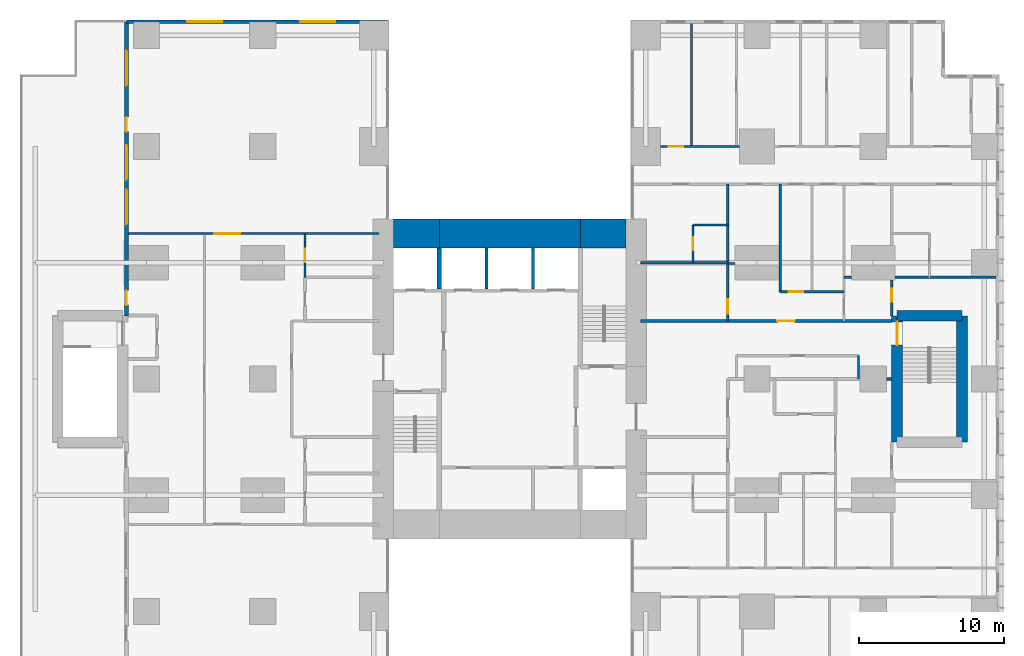
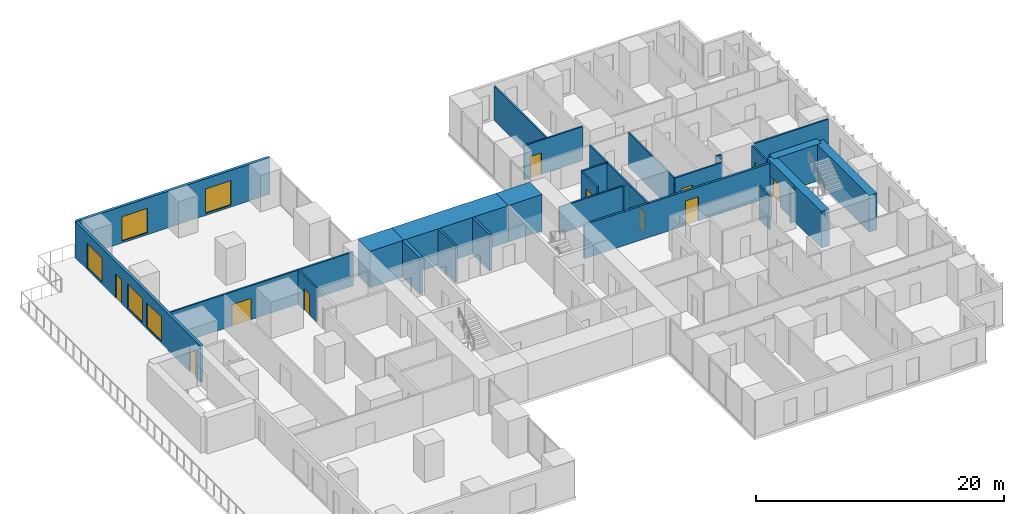
# One storey, part 13 of 16: 28 walls, 11 doors, 5 windows, 16 openings.
"""IFC4 building model written with IfcOpenShell, lengths in metres."""

from ifc_helpers import new_model, si_unit, direction, frame, frame_2d, origin, place, context, subcontext, project, spatial, rectangle, extrude, material, layer, layer_set, type_object, element, fill, save


model = new_model("IFC4")

# Units and contexts
model_context = context("Model", 3, precision=1e-05, world=origin(), true_north=direction((0.0, 1.0)))
body_context = subcontext(model_context, "Body", "Model", "MODEL_VIEW")
ifc_project = project(units=[si_unit("LENGTHUNIT", "METRE"), si_unit("AREAUNIT", "SQUARE_METRE"), si_unit("VOLUMEUNIT", "CUBIC_METRE"), si_unit("PLANEANGLEUNIT", "RADIAN"), si_unit("MASSUNIT", "GRAM", prefix="KILO")], contexts=[model_context])

# Site, building, storey
site_placement = place(None, origin())
site = spatial("IfcSite", under=ifc_project, at=site_placement, CompositionType="ELEMENT")
building_placement = place(site_placement, origin())
building = spatial("IfcBuilding", under=site, at=building_placement, Name="Cleftline Residences", CompositionType="ELEMENT")
storey_placement = place(building_placement, frame((0.0, 0.0, 218.199951171875)))
storey = spatial("IfcBuildingStorey", under=building, at=storey_placement, Name="L57", CompositionType="ELEMENT", Elevation=218.199951171875)

# Walls
ifc_material_1 = material(Name="Concrete B70", Category="concrete")
ifc_layer_1 = layer(ifc_material_1, 2.0)
ifc_layer_set_1 = layer_set([ifc_layer_1], Name="CORE WALL 2000")
wall_type_1 = type_object("IfcWallType", Name="CORE WALL 2000", PredefinedType="SHEAR", material=ifc_layer_set_1)
wall_1_placement = place(storey_placement, frame((25.0, 34.0, 0.0), z_axis=(0.0, 0.0, 1.0), x_axis=(1.0, 0.0, 0.0)))
element("IfcWall", 1, at=wall_1_placement, inside=storey, type_object=wall_type_1, Name="Core wall N1", PredefinedType="SHEAR", context=body_context, shape_type="SweptSolid", body=[
    extrude(rectangle(XDim=3.14990234375, YDim=2.0, at=frame_2d((1.574951171875, 0.0))), origin(), (0.0, 0.0, 1.0), 3.60009765625),
])
wall_2_placement = place(storey_placement, frame((28.14990234375, 34.0, 0.0), z_axis=(0.0, 0.0, 1.0), x_axis=(1.0, 0.0, 0.0)))
element("IfcWall", 2, at=wall_2_placement, inside=storey, type_object=wall_type_1, Name="Core wall N2", PredefinedType="SHEAR", context=body_context, shape_type="SweptSolid", body=[
    extrude(rectangle(XDim=9.7001953125, YDim=2.0, at=frame_2d((4.85009765625, 0.0))), origin(), (0.0, 0.0, 1.0), 3.60009765625),
])
wall_3_placement = place(storey_placement, frame((37.85009765625, 34.0, 0.0), z_axis=(0.0, 0.0, 1.0), x_axis=(1.0, 0.0, 0.0)))
element("IfcWall", 3, at=wall_3_placement, inside=storey, type_object=wall_type_1, Name="Core wall N3", PredefinedType="SHEAR", context=body_context, shape_type="SweptSolid", body=[
    extrude(rectangle(XDim=3.14990234375, YDim=2.0, at=frame_2d((1.574951171875, 0.0))), origin(), (0.0, 0.0, 1.0), 3.60009765625),
])
ifc_material_2 = material(Name="Concrete B70", Category="concrete")
ifc_layer_2 = layer(ifc_material_2, 0.300048828125)
ifc_layer_set_2 = layer_set([ifc_layer_2], Name="CORE WALL 300")
wall_type_2 = type_object("IfcWallType", Name="CORE WALL 300", PredefinedType="SHEAR", material=ifc_layer_set_2)
wall_4_placement = place(storey_placement, frame((28.14990234375, 30.199951171875, 0.0), z_axis=(0.0, 0.0, 1.0), x_axis=(0.0, 1.0, 0.0)))
element("IfcWall", 4, at=wall_4_placement, inside=storey, type_object=wall_type_2, Name="Lift shaft wall", PredefinedType="SHEAR", context=body_context, shape_type="SweptSolid", body=[
    extrude(rectangle(XDim=2.800048828125, YDim=0.300048828125, at=frame_2d((1.39990234375, 0.0))), origin(), (0.0, 0.0, 1.0), 3.60009765625),
])

# Wall, openings, windows
ifc_material_3 = material(Name="Rendered reinforced concrete blockwork", Category="masonry")
ifc_layer_3 = layer(ifc_material_3, 0.25)
ifc_layer_set_3 = layer_set([ifc_layer_3], Name="EXTERNAL WALL 250")
wall_type_3 = type_object("IfcWallType", Name="EXTERNAL WALL 250", PredefinedType="SOLIDWALL", material=ifc_layer_set_3)
wall_5_placement = place(storey_placement, frame((24.574951171875, 48.574951171875, 0.0), z_axis=(0.0, 0.0, 1.0), x_axis=(-1.0, 0.0, 0.0)))
wall_5 = element("IfcWall", 5, at=wall_5_placement, inside=storey, type_object=wall_type_3, Name="External wall", PredefinedType="SOLIDWALL", context=body_context, shape_type="SweptSolid", body=[
    extrude(rectangle(XDim=17.949951171875, YDim=0.25, at=frame_2d((8.97509765625, 0.0))), origin(), (0.0, 0.0, 1.0), 3.60009765625),
])
opening_1_placement = place(wall_5_placement, frame((3.60009765625, 0.0, 0.199951171875)))
opening_1 = element("IfcOpeningElement", 6, at=opening_1_placement, cuts=wall_5, Name="Opening W9", PredefinedType="OPENING", context=body_context, shape_type="SweptSolid", body=[
    extrude(rectangle(XDim=2.39990234375, YDim=2.39990234375, at=frame_2d((1.199951171875, 1.199951171875))), frame((0.0, 0.135009765625, 0.0), z_axis=(0.0, -1.0, 0.0), x_axis=(1.0, 0.0, 0.0)), (0.0, 0.0, 1.0), 0.27001953125),
])
opening_2_placement = place(wall_5_placement, frame((11.375, 0.0, 0.199951171875)))
opening_2 = element("IfcOpeningElement", 7, at=opening_2_placement, cuts=wall_5, Name="Opening W9", PredefinedType="OPENING", context=body_context, shape_type="SweptSolid", body=[
    extrude(rectangle(XDim=2.39990234375, YDim=2.39990234375, at=frame_2d((1.199951171875, 1.199951171875))), frame((0.0, 0.135009765625, 0.0), z_axis=(0.0, -1.0, 0.0), x_axis=(1.0, 0.0, 0.0)), (0.0, 0.0, 1.0), 0.27001953125),
])
ifc_material_4 = material(Name="Aluminium frame, clear double glazing", Category="aluminium")
window_type = type_object("IfcWindowType", Name="WINDOW 2400X2400", PartitioningType="DOUBLE_PANEL_VERTICAL", PredefinedType="WINDOW", material=ifc_material_4)
window_1_placement = place(opening_1_placement, origin())
window_1 = element("IfcWindow", 8, at=window_1_placement, inside=storey, type_object=window_type, Name="Window", OverallHeight=2.39990234375, OverallWidth=2.39990234375, PartitioningType="SINGLE_PANEL", PredefinedType="WINDOW", context=body_context, shape_type="SweptSolid", body=[
    extrude(rectangle(XDim=2.39990234375, YDim=2.39990234375, at=frame_2d((1.199951171875, 1.199951171875))), frame((0.0, 0.030029296875, 0.0), z_axis=(0.0, -1.0, 0.0), x_axis=(1.0, 0.0, 0.0)), (0.0, 0.0, 1.0), 0.06005859375),
])
fill(opening_1, window_1)
window_2_placement = place(opening_2_placement, origin())
window_2 = element("IfcWindow", 9, at=window_2_placement, inside=storey, type_object=window_type, Name="Window", OverallHeight=2.39990234375, OverallWidth=2.39990234375, PartitioningType="SINGLE_PANEL", PredefinedType="WINDOW", context=body_context, shape_type="SweptSolid", body=[
    extrude(rectangle(XDim=2.39990234375, YDim=2.39990234375, at=frame_2d((1.199951171875, 1.199951171875))), frame((0.0, 0.030029296875, 0.0), z_axis=(0.0, -1.0, 0.0), x_axis=(1.0, 0.0, 0.0)), (0.0, 0.0, 1.0), 0.06005859375),
])
fill(opening_2, window_2)

# Wall, openings, doors, windows
wall_6_placement = place(storey_placement, frame((6.625, 48.574951171875, 0.0), z_axis=(0.0, 0.0, 1.0), x_axis=(0.0, -1.0, 0.0)))
wall_6 = element("IfcWall", 10, at=wall_6_placement, inside=storey, type_object=wall_type_3, Name="External wall", PredefinedType="SOLIDWALL", context=body_context, shape_type="SweptSolid", body=[
    extrude(rectangle(XDim=20.224853515625, YDim=0.25, at=frame_2d((10.1123046875, 0.0))), origin(), (0.0, 0.0, 1.0), 3.60009765625),
])
opening_3_placement = place(wall_6_placement, frame((6.550048828125, 0.0, 0.0)))
opening_3 = element("IfcOpeningElement", 11, at=opening_3_placement, cuts=wall_6, Name="Opening DT1", PredefinedType="OPENING", context=body_context, shape_type="SweptSolid", body=[
    extrude(rectangle(XDim=1.0, YDim=2.39990234375, at=frame_2d((0.5, 1.199951171875))), frame((0.0, 0.135009765625, 0.0), z_axis=(0.0, -1.0, 0.0), x_axis=(1.0, 0.0, 0.0)), (0.0, 0.0, 1.0), 0.27001953125),
])
opening_4_placement = place(wall_6_placement, frame((1.987548828125, 0.0, 0.199951171875)))
opening_4 = element("IfcOpeningElement", 12, at=opening_4_placement, cuts=wall_6, Name="Opening W9", PredefinedType="OPENING", context=body_context, shape_type="SweptSolid", body=[
    extrude(rectangle(XDim=2.39990234375, YDim=2.39990234375, at=frame_2d((1.199951171875, 1.199951171875))), frame((0.0, 0.135009765625, 0.0), z_axis=(0.0, -1.0, 0.0), x_axis=(1.0, 0.0, 0.0)), (0.0, 0.0, 1.0), 0.27001953125),
])
opening_5_placement = place(wall_6_placement, frame((8.481201171875, 0.0, 0.199951171875)))
opening_5 = element("IfcOpeningElement", 13, at=opening_5_placement, cuts=wall_6, Name="Opening W9", PredefinedType="OPENING", context=body_context, shape_type="SweptSolid", body=[
    extrude(rectangle(XDim=2.39990234375, YDim=2.39990234375, at=frame_2d((1.199951171875, 1.199951171875))), frame((0.0, 0.135009765625, 0.0), z_axis=(0.0, -1.0, 0.0), x_axis=(1.0, 0.0, 0.0)), (0.0, 0.0, 1.0), 0.27001953125),
])
opening_6_placement = place(wall_6_placement, frame((11.543701171875, 0.0, 0.199951171875)))
opening_6 = element("IfcOpeningElement", 14, at=opening_6_placement, cuts=wall_6, Name="Opening W9", PredefinedType="OPENING", context=body_context, shape_type="SweptSolid", body=[
    extrude(rectangle(XDim=2.39990234375, YDim=2.39990234375, at=frame_2d((1.199951171875, 1.199951171875))), frame((0.0, 0.135009765625, 0.0), z_axis=(0.0, -1.0, 0.0), x_axis=(1.0, 0.0, 0.0)), (0.0, 0.0, 1.0), 0.27001953125),
])
opening_7_placement = place(wall_6_placement, frame((18.487548828125, 0.0, 0.0)))
opening_7 = element("IfcOpeningElement", 15, at=opening_7_placement, cuts=wall_6, Name="Opening DT1", PredefinedType="OPENING", context=body_context, shape_type="SweptSolid", body=[
    extrude(rectangle(XDim=1.0, YDim=2.39990234375, at=frame_2d((0.5, 1.199951171875))), frame((0.0, 0.135009765625, 0.0), z_axis=(0.0, -1.0, 0.0), x_axis=(1.0, 0.0, 0.0)), (0.0, 0.0, 1.0), 0.27001953125),
])
ifc_material_5 = material(Name="Aluminium and laminated glass", Category="aluminium")
door_type_1 = type_object("IfcDoorType", Name="TERRACE DOOR 1000X2400", OperationType="SINGLE_SWING_LEFT", PredefinedType="DOOR", material=ifc_material_5)
door_1_placement = place(opening_3_placement, origin())
door_1 = element("IfcDoor", 16, at=door_1_placement, inside=storey, type_object=door_type_1, Name="Terrace door", OperationType="SINGLE_SWING_RIGHT", OverallHeight=2.39990234375, OverallWidth=1.0, PredefinedType="DOOR", context=body_context, shape_type="SweptSolid", body=[
    extrude(rectangle(XDim=1.0, YDim=2.39990234375, at=frame_2d((0.5, 1.199951171875))), frame((0.0, 0.02490234375, 0.0), z_axis=(0.0, -1.0, 0.0), x_axis=(1.0, 0.0, 0.0)), (0.0, 0.0, 1.0), 0.050048828125),
])
fill(opening_3, door_1)
door_2_placement = place(opening_7_placement, origin())
door_2 = element("IfcDoor", 17, at=door_2_placement, inside=storey, type_object=door_type_1, Name="Terrace door", OperationType="SINGLE_SWING_LEFT", OverallHeight=2.39990234375, OverallWidth=1.0, PredefinedType="DOOR", context=body_context, shape_type="SweptSolid", body=[
    extrude(rectangle(XDim=1.0, YDim=2.39990234375, at=frame_2d((0.5, 1.199951171875))), frame((0.0, 0.02490234375, 0.0), z_axis=(0.0, -1.0, 0.0), x_axis=(1.0, 0.0, 0.0)), (0.0, 0.0, 1.0), 0.050048828125),
])
fill(opening_7, door_2)
window_3_placement = place(opening_4_placement, origin())
window_3 = element("IfcWindow", 18, at=window_3_placement, inside=storey, type_object=window_type, Name="Window", OverallHeight=2.39990234375, OverallWidth=2.39990234375, PartitioningType="SINGLE_PANEL", PredefinedType="WINDOW", context=body_context, shape_type="SweptSolid", body=[
    extrude(rectangle(XDim=2.39990234375, YDim=2.39990234375, at=frame_2d((1.199951171875, 1.199951171875))), frame((0.0, 0.030029296875, 0.0), z_axis=(0.0, -1.0, 0.0), x_axis=(1.0, 0.0, 0.0)), (0.0, 0.0, 1.0), 0.06005859375),
])
fill(opening_4, window_3)
window_4_placement = place(opening_5_placement, origin())
window_4 = element("IfcWindow", 19, at=window_4_placement, inside=storey, type_object=window_type, Name="Window", OverallHeight=2.39990234375, OverallWidth=2.39990234375, PartitioningType="SINGLE_PANEL", PredefinedType="WINDOW", context=body_context, shape_type="SweptSolid", body=[
    extrude(rectangle(XDim=2.39990234375, YDim=2.39990234375, at=frame_2d((1.199951171875, 1.199951171875))), frame((0.0, 0.030029296875, 0.0), z_axis=(0.0, -1.0, 0.0), x_axis=(1.0, 0.0, 0.0)), (0.0, 0.0, 1.0), 0.06005859375),
])
fill(opening_5, window_4)
window_5_placement = place(opening_6_placement, origin())
window_5 = element("IfcWindow", 20, at=window_5_placement, inside=storey, type_object=window_type, Name="Window", OverallHeight=2.39990234375, OverallWidth=2.39990234375, PartitioningType="SINGLE_PANEL", PredefinedType="WINDOW", context=body_context, shape_type="SweptSolid", body=[
    extrude(rectangle(XDim=2.39990234375, YDim=2.39990234375, at=frame_2d((1.199951171875, 1.199951171875))), frame((0.0, 0.030029296875, 0.0), z_axis=(0.0, -1.0, 0.0), x_axis=(1.0, 0.0, 0.0)), (0.0, 0.0, 1.0), 0.06005859375),
])
fill(opening_6, window_5)

# Wall
ifc_material_6 = material(Name="Concrete blockwork, fire rated", Category="masonry")
ifc_layer_4 = layer(ifc_material_6, 0.199951171875)
ifc_layer_set_4 = layer_set([ifc_layer_4], Name="FIRE WALL 200")
wall_type_4 = type_object("IfcWallType", Name="FIRE WALL 200", PredefinedType="PARTITIONING", material=ifc_layer_set_4)
wall_7_placement = place(storey_placement, frame((58.89990234375, 24.0, 0.0), z_axis=(0.0, 0.0, 1.0), x_axis=(1.0, 0.0, 0.0)))
element("IfcWall", 21, at=wall_7_placement, inside=storey, type_object=wall_type_4, Name="Fire separating wall", PredefinedType="PARTITIONING", context=body_context, shape_type="SweptSolid", body=[
    extrude(rectangle(XDim=0.375, YDim=0.199951171875, at=frame_2d((0.1875, 0.0))), origin(), (0.0, 0.0, 1.0), 3.35009765625),
])

# Wall, opening, door
wall_8_placement = place(storey_placement, frame((42.0, 28.0, 0.0), z_axis=(0.0, 0.0, 1.0), x_axis=(1.0, 0.0, 0.0)))
wall_8 = element("IfcWall", 22, at=wall_8_placement, inside=storey, type_object=wall_type_4, Name="Fire separating wall", PredefinedType="PARTITIONING", context=body_context, shape_type="SweptSolid", body=[
    extrude(rectangle(XDim=17.27490234375, YDim=0.199951171875, at=frame_2d((8.637451171875, 0.0))), origin(), (0.0, 0.0, 1.0), 3.35009765625),
])
opening_8_placement = place(wall_8_placement, frame((9.39990234375, 0.0, 0.0)))
opening_8 = element("IfcOpeningElement", 23, at=opening_8_placement, cuts=wall_8, Name="Opening D4", PredefinedType="OPENING", context=body_context, shape_type="SweptSolid", body=[
    extrude(rectangle(XDim=1.199951171875, YDim=2.39990234375, at=frame_2d((0.60009765625, 1.199951171875))), frame((0.0, 0.10986328125, 0.0), z_axis=(0.0, -1.0, 0.0), x_axis=(1.0, 0.0, 0.0)), (0.0, 0.0, 1.0), 0.219970703125),
])
ifc_material_7 = material(Name="Timber veneer on solid core", Category="wood")
door_type_2 = type_object("IfcDoorType", Name="APARTMENT ENTRANCE DOOR 1200X2400", OperationType="SINGLE_SWING_RIGHT", PredefinedType="DOOR", material=ifc_material_7)
door_3_placement = place(opening_8_placement, origin())
door_3 = element("IfcDoor", 24, at=door_3_placement, inside=storey, type_object=door_type_2, Name="Door to residence entrance (gallery)", OperationType="SINGLE_SWING_LEFT", OverallHeight=2.39990234375, OverallWidth=1.199951171875, PredefinedType="DOOR", context=body_context, shape_type="SweptSolid", body=[
    extrude(rectangle(XDim=1.199951171875, YDim=2.39990234375, at=frame_2d((0.60009765625, 1.199951171875))), frame((0.0, 0.02490234375, 0.0), z_axis=(0.0, -1.0, 0.0), x_axis=(1.0, 0.0, 0.0)), (0.0, 0.0, 1.0), 0.050048828125),
])
fill(opening_8, door_3)

ifc_material_8 = material(Name="Gypsum board on steel studs", Category="steel")
ifc_layer_5 = layer(ifc_material_8, 0.14990234375)
ifc_layer_set_5 = layer_set([ifc_layer_5], Name="PARTITION 150")
wall_type_5 = type_object("IfcWallType", Name="PARTITION 150", PredefinedType="PARTITIONING", material=ifc_layer_set_5)
wall_9_placement = place(storey_placement, frame((51.60009765625, 30.0, 0.0), z_axis=(0.0, 0.0, 1.0), x_axis=(1.0, 0.0, 0.0)))
wall_9 = element("IfcWall", 25, at=wall_9_placement, inside=storey, type_object=wall_type_5, Name="Partition", PredefinedType="PARTITIONING", context=body_context, shape_type="SweptSolid", body=[
    extrude(rectangle(XDim=4.39990234375, YDim=0.14990234375, at=frame_2d((2.199951171875, 0.0))), origin(), (0.0, 0.0, 1.0), 3.35009765625),
])
opening_9_placement = place(wall_9_placement, frame((0.60009765625, 0.0, 0.0)))
opening_9 = element("IfcOpeningElement", 26, at=opening_9_placement, cuts=wall_9, Name="Opening D2", PredefinedType="OPENING", context=body_context, shape_type="SweptSolid", body=[
    extrude(rectangle(XDim=1.0, YDim=2.10009765625, at=frame_2d((0.5, 1.050048828125))), frame((0.0, 0.0849609375, 0.0), z_axis=(0.0, -1.0, 0.0), x_axis=(1.0, 0.0, 0.0)), (0.0, 0.0, 1.0), 0.169921875),
])
ifc_material_9 = material(Name="Timber veneer on solid core", Category="wood")
door_type_3 = type_object("IfcDoorType", Name="DOOR 1000X2100", OperationType="SINGLE_SWING_LEFT", PredefinedType="DOOR", material=ifc_material_9)
door_4_placement = place(opening_9_placement, origin())
door_4 = element("IfcDoor", 27, at=door_4_placement, inside=storey, type_object=door_type_3, Name="Door to residence passage", OperationType="SINGLE_SWING_RIGHT", OverallHeight=2.10009765625, OverallWidth=1.0, PredefinedType="DOOR", context=body_context, shape_type="SweptSolid", body=[
    extrude(rectangle(XDim=1.0, YDim=2.10009765625, at=frame_2d((0.5, 1.050048828125))), frame((0.0, 0.02490234375, 0.0), z_axis=(0.0, -1.0, 0.0), x_axis=(1.0, 0.0, 0.0)), (0.0, 0.0, 1.0), 0.050048828125),
])
fill(opening_9, door_4)

# Walls
wall_10_placement = place(storey_placement, frame((56.0, 31.0, 0.0), z_axis=(0.0, 0.0, 1.0), x_axis=(1.0, 0.0, 0.0)))
element("IfcWall", 28, at=wall_10_placement, inside=storey, type_object=wall_type_5, Name="Partition", PredefinedType="PARTITIONING", context=body_context, shape_type="SweptSolid", body=[
    extrude(rectangle(XDim=0.5, YDim=0.14990234375, at=frame_2d((0.25, 0.0))), origin(), (0.0, 0.0, 1.0), 3.35009765625),
])
wall_11_placement = place(storey_placement, frame((59.5, 31.0, 0.0), z_axis=(0.0, 0.0, 1.0), x_axis=(1.0, 0.0, 0.0)))
element("IfcWall", 29, at=wall_11_placement, inside=storey, type_object=wall_type_5, Name="Partition", PredefinedType="PARTITIONING", context=body_context, shape_type="SweptSolid", body=[
    extrude(rectangle(XDim=6.949951171875, YDim=0.14990234375, at=frame_2d((3.47509765625, 0.0))), origin(), (0.0, 0.0, 1.0), 3.35009765625),
])
wall_12_placement = place(storey_placement, frame((48.0, 31.949951171875, 0.0), z_axis=(0.0, 0.0, 1.0), x_axis=(1.0, 0.0, 0.0)))
element("IfcWall", 30, at=wall_12_placement, inside=storey, type_object=wall_type_5, Name="Partition", PredefinedType="PARTITIONING", context=body_context, shape_type="SweptSolid", body=[
    extrude(rectangle(XDim=0.5, YDim=0.14990234375, at=frame_2d((0.25, 0.0))), origin(), (0.0, 0.0, 1.0), 2.634033203125),
])
wall_13_placement = place(storey_placement, frame((42.0, 32.0, 0.0), z_axis=(0.0, 0.0, 1.0), x_axis=(1.0, 0.0, 0.0)))
element("IfcWall", 31, at=wall_13_placement, inside=storey, type_object=wall_type_5, Name="Partition", PredefinedType="PARTITIONING", context=body_context, shape_type="SweptSolid", body=[
    extrude(rectangle(XDim=6.0, YDim=0.14990234375, at=frame_2d((3.0, 0.0))), origin(), (0.0, 0.0, 1.0), 2.634033203125),
])

# Wall, opening, door
wall_14_placement = place(storey_placement, frame((6.75, 34.0, 0.0), z_axis=(0.0, 0.0, 1.0), x_axis=(1.0, 0.0, 0.0)))
wall_14 = element("IfcWall", 32, at=wall_14_placement, inside=storey, type_object=wall_type_5, Name="Partition", PredefinedType="PARTITIONING", context=body_context, shape_type="SweptSolid", body=[
    extrude(rectangle(XDim=17.25, YDim=0.14990234375, at=frame_2d((8.625, 0.0))), origin(), (0.0, 0.0, 1.0), 3.35009765625),
])
opening_10_placement = place(wall_14_placement, frame((5.89990234375, 0.0, 0.0)))
opening_10 = element("IfcOpeningElement", 33, at=opening_10_placement, cuts=wall_14, Name="Opening D3", PredefinedType="OPENING", context=body_context, shape_type="SweptSolid", body=[
    extrude(rectangle(XDim=1.800048828125, YDim=2.10009765625, at=frame_2d((0.89990234375, 1.050048828125))), frame((0.0, 0.0849609375, 0.0), z_axis=(0.0, -1.0, 0.0), x_axis=(1.0, 0.0, 0.0)), (0.0, 0.0, 1.0), 0.169921875),
])
ifc_material_10 = material(Name="Timber veneer on solid core", Category="wood")
door_type_4 = type_object("IfcDoorType", Name="DOUBLE DOOR 1800X2100", OperationType="DOUBLE_DOOR_DOUBLE_SWING", PredefinedType="DOOR", material=ifc_material_10)
door_5_placement = place(opening_10_placement, origin())
door_5 = element("IfcDoor", 34, at=door_5_placement, inside=storey, type_object=door_type_4, Name="Door to library lounge", OperationType="DOUBLE_DOOR_DOUBLE_SWING", OverallHeight=2.10009765625, OverallWidth=1.800048828125, PredefinedType="DOOR", context=body_context, shape_type="SweptSolid", body=[
    extrude(rectangle(XDim=1.800048828125, YDim=2.10009765625, at=frame_2d((0.89990234375, 1.050048828125))), frame((0.0, 0.02490234375, 0.0), z_axis=(0.0, -1.0, 0.0), x_axis=(1.0, 0.0, 0.0)), (0.0, 0.0, 1.0), 0.050048828125),
])
fill(opening_10, door_5)

# Wall
wall_15_placement = place(storey_placement, frame((45.60009765625, 34.60009765625, 0.0), z_axis=(0.0, 0.0, 1.0), x_axis=(1.0, 0.0, 0.0)))
element("IfcWall", 35, at=wall_15_placement, inside=storey, type_object=wall_type_5, Name="Partition", PredefinedType="PARTITIONING", context=body_context, shape_type="SweptSolid", body=[
    extrude(rectangle(XDim=2.39990234375, YDim=0.14990234375, at=frame_2d((1.199951171875, 0.0))), origin(), (0.0, 0.0, 1.0), 3.35009765625),
])

# Wall, opening, door
wall_16_placement = place(storey_placement, frame((43.35009765625, 40.0, 0.0), z_axis=(0.0, 0.0, 1.0), x_axis=(1.0, 0.0, 0.0)))
wall_16 = element("IfcWall", 36, at=wall_16_placement, inside=storey, type_object=wall_type_5, Name="Partition", PredefinedType="PARTITIONING", context=body_context, shape_type="SweptSolid", body=[
    extrude(rectangle(XDim=5.449951171875, YDim=0.14990234375, at=frame_2d((2.72509765625, 0.0))), origin(), (0.0, 0.0, 1.0), 3.35009765625),
])
opening_11_placement = place(wall_16_placement, frame((0.574951171875, 0.0, 0.0)))
opening_11 = element("IfcOpeningElement", 37, at=opening_11_placement, cuts=wall_16, Name="Opening D2", PredefinedType="OPENING", context=body_context, shape_type="SweptSolid", body=[
    extrude(rectangle(XDim=1.0, YDim=2.10009765625, at=frame_2d((0.5, 1.050048828125))), frame((0.0, 0.0849609375, 0.0), z_axis=(0.0, -1.0, 0.0), x_axis=(1.0, 0.0, 0.0)), (0.0, 0.0, 1.0), 0.169921875),
])
door_6_placement = place(opening_11_placement, origin())
door_6 = element("IfcDoor", 38, at=door_6_placement, inside=storey, type_object=door_type_3, Name="Door to family room", OperationType="SINGLE_SWING_RIGHT", OverallHeight=2.10009765625, OverallWidth=1.0, PredefinedType="DOOR", context=body_context, shape_type="SweptSolid", body=[
    extrude(rectangle(XDim=1.0, YDim=2.10009765625, at=frame_2d((0.5, 1.050048828125))), frame((0.0, 0.02490234375, 0.0), z_axis=(0.0, -1.0, 0.0), x_axis=(1.0, 0.0, 0.0)), (0.0, 0.0, 1.0), 0.050048828125),
])
fill(opening_11, door_6)

wall_17_placement = place(storey_placement, frame((18.89990234375, 31.0, 0.0), z_axis=(0.0, 0.0, 1.0), x_axis=(0.0, 1.0, 0.0)))
wall_17 = element("IfcWall", 39, at=wall_17_placement, inside=storey, type_object=wall_type_5, Name="Partition", PredefinedType="PARTITIONING", context=body_context, shape_type="SweptSolid", body=[
    extrude(rectangle(XDim=3.0, YDim=0.14990234375, at=frame_2d((1.5, 0.0))), origin(), (0.0, 0.0, 1.0), 3.35009765625),
])
opening_12_placement = place(wall_17_placement, frame((1.050048828125, 0.0, 0.0)))
opening_12 = element("IfcOpeningElement", 40, at=opening_12_placement, cuts=wall_17, Name="Opening D1", PredefinedType="OPENING", context=body_context, shape_type="SweptSolid", body=[
    extrude(rectangle(XDim=0.89990234375, YDim=2.10009765625, at=frame_2d((0.449951171875, 1.050048828125))), frame((0.0, 0.0849609375, 0.0), z_axis=(0.0, -1.0, 0.0), x_axis=(1.0, 0.0, 0.0)), (0.0, 0.0, 1.0), 0.169921875),
])
ifc_material_11 = material(Name="Timber veneer on solid core", Category="wood")
door_type_5 = type_object("IfcDoorType", Name="DOOR 900X2100", OperationType="SINGLE_SWING_LEFT", PredefinedType="DOOR", material=ifc_material_11)
door_7_placement = place(opening_12_placement, origin())
door_7 = element("IfcDoor", 41, at=door_7_placement, inside=storey, type_object=door_type_5, Name="Door to cleaner's store", OperationType="SINGLE_SWING_LEFT", OverallHeight=2.10009765625, OverallWidth=0.89990234375, PredefinedType="DOOR", context=body_context, shape_type="SweptSolid", body=[
    extrude(rectangle(XDim=0.89990234375, YDim=2.10009765625, at=frame_2d((0.449951171875, 1.050048828125))), frame((0.0, 0.02490234375, 0.0), z_axis=(0.0, -1.0, 0.0), x_axis=(1.0, 0.0, 0.0)), (0.0, 0.0, 1.0), 0.050048828125),
])
fill(opening_12, door_7)

# Wall
wall_18_placement = place(storey_placement, frame((45.5, 40.0, 0.0), z_axis=(0.0, 0.0, 1.0), x_axis=(0.0, 1.0, 0.0)))
element("IfcWall", 42, at=wall_18_placement, inside=storey, type_object=wall_type_5, Name="Partition", PredefinedType="PARTITIONING", context=body_context, shape_type="SweptSolid", body=[
    extrude(rectangle(XDim=8.449951171875, YDim=0.14990234375, at=frame_2d((4.22509765625, 0.0))), origin(), (0.0, 0.0, 1.0), 3.35009765625),
])

# Wall, opening, door
wall_19_placement = place(storey_placement, frame((45.60009765625, 32.0, 0.0), z_axis=(0.0, 0.0, 1.0), x_axis=(0.0, 1.0, 0.0)))
wall_19 = element("IfcWall", 43, at=wall_19_placement, inside=storey, type_object=wall_type_5, Name="Partition", PredefinedType="PARTITIONING", context=body_context, shape_type="SweptSolid", body=[
    extrude(rectangle(XDim=2.60009765625, YDim=0.14990234375, at=frame_2d((1.300048828125, 0.0))), origin(), (0.0, 0.0, 1.0), 3.35009765625),
])
opening_13_placement = place(wall_19_placement, frame((0.85009765625, 0.0, 0.0)))
opening_13 = element("IfcOpeningElement", 44, at=opening_13_placement, cuts=wall_19, Name="Opening D1", PredefinedType="OPENING", context=body_context, shape_type="SweptSolid", body=[
    extrude(rectangle(XDim=0.89990234375, YDim=2.10009765625, at=frame_2d((0.449951171875, 1.050048828125))), frame((0.0, 0.0849609375, 0.0), z_axis=(0.0, -1.0, 0.0), x_axis=(1.0, 0.0, 0.0)), (0.0, 0.0, 1.0), 0.169921875),
])
door_8_placement = place(opening_13_placement, origin())
door_8 = element("IfcDoor", 45, at=door_8_placement, inside=storey, type_object=door_type_5, Name="Door to en-suite bathroom 5", OperationType="SINGLE_SWING_LEFT", OverallHeight=2.10009765625, OverallWidth=0.89990234375, PredefinedType="DOOR", context=body_context, shape_type="SweptSolid", body=[
    extrude(rectangle(XDim=0.89990234375, YDim=2.10009765625, at=frame_2d((0.449951171875, 1.050048828125))), frame((0.0, 0.02490234375, 0.0), z_axis=(0.0, -1.0, 0.0), x_axis=(1.0, 0.0, 0.0)), (0.0, 0.0, 1.0), 0.050048828125),
])
fill(opening_13, door_8)

wall_20_placement = place(storey_placement, frame((48.0, 28.0, 0.0), z_axis=(0.0, 0.0, 1.0), x_axis=(0.0, 1.0, 0.0)))
wall_20 = element("IfcWall", 46, at=wall_20_placement, inside=storey, type_object=wall_type_5, Name="Partition", PredefinedType="PARTITIONING", context=body_context, shape_type="SweptSolid", body=[
    extrude(rectangle(XDim=9.39990234375, YDim=0.14990234375, at=frame_2d((4.699951171875, 0.0))), origin(), (0.0, 0.0, 1.0), 3.35009765625),
])
opening_14_placement = place(wall_20_placement, frame((0.5, 0.0, 0.0)))
opening_14 = element("IfcOpeningElement", 47, at=opening_14_placement, cuts=wall_20, Name="Opening D2", PredefinedType="OPENING", context=body_context, shape_type="SweptSolid", body=[
    extrude(rectangle(XDim=1.0, YDim=2.10009765625, at=frame_2d((0.5, 1.050048828125))), frame((0.0, 0.0849609375, 0.0), z_axis=(0.0, -1.0, 0.0), x_axis=(1.0, 0.0, 0.0)), (0.0, 0.0, 1.0), 0.169921875),
])
door_9_placement = place(opening_14_placement, origin())
door_9 = element("IfcDoor", 48, at=door_9_placement, inside=storey, type_object=door_type_3, Name="Door to morning kitchen", OperationType="SINGLE_SWING_RIGHT", OverallHeight=2.10009765625, OverallWidth=1.0, PredefinedType="DOOR", context=body_context, shape_type="SweptSolid", body=[
    extrude(rectangle(XDim=1.0, YDim=2.10009765625, at=frame_2d((0.5, 1.050048828125))), frame((0.0, 0.02490234375, 0.0), z_axis=(0.0, -1.0, 0.0), x_axis=(1.0, 0.0, 0.0)), (0.0, 0.0, 1.0), 0.050048828125),
])
fill(opening_14, door_9)

# Walls
wall_21_placement = place(storey_placement, frame((51.60009765625, 30.0, 0.0), z_axis=(0.0, 0.0, 1.0), x_axis=(0.0, 1.0, 0.0)))
element("IfcWall", 49, at=wall_21_placement, inside=storey, type_object=wall_type_5, Name="Partition", PredefinedType="PARTITIONING", context=body_context, shape_type="SweptSolid", body=[
    extrude(rectangle(XDim=7.39990234375, YDim=0.14990234375, at=frame_2d((3.699951171875, 0.0))), origin(), (0.0, 0.0, 1.0), 3.35009765625),
])
wall_22_placement = place(storey_placement, frame((57.0, 24.0, 0.0), z_axis=(0.0, 0.0, 1.0), x_axis=(0.0, 1.0, 0.0)))
element("IfcWall", 50, at=wall_22_placement, inside=storey, type_object=wall_type_5, Name="Partition", PredefinedType="PARTITIONING", context=body_context, shape_type="SweptSolid", body=[
    extrude(rectangle(XDim=1.60009765625, YDim=0.14990234375, at=frame_2d((0.800048828125, 0.0))), origin(), (0.0, 0.0, 1.0), 3.35009765625),
])

# Wall, opening, door
wall_23_placement = place(storey_placement, frame((59.27490234375, 28.35009765625, 0.0), z_axis=(0.0, 0.0, 1.0), x_axis=(0.0, 1.0, 0.0)))
wall_23 = element("IfcWall", 51, at=wall_23_placement, inside=storey, type_object=wall_type_5, Name="Partition", PredefinedType="PARTITIONING", context=body_context, shape_type="SweptSolid", body=[
    extrude(rectangle(XDim=2.449951171875, YDim=0.14990234375, at=frame_2d((1.22509765625, 0.0))), origin(), (0.0, 0.0, 1.0), 3.35009765625),
])
opening_15_placement = place(wall_23_placement, frame((0.96240234375, 0.0, 0.0)))
opening_15 = element("IfcOpeningElement", 52, at=opening_15_placement, cuts=wall_23, Name="Opening D1", PredefinedType="OPENING", context=body_context, shape_type="SweptSolid", body=[
    extrude(rectangle(XDim=0.89990234375, YDim=2.10009765625, at=frame_2d((0.449951171875, 1.050048828125))), frame((0.0, 0.0849609375, 0.0), z_axis=(0.0, -1.0, 0.0), x_axis=(1.0, 0.0, 0.0)), (0.0, 0.0, 1.0), 0.169921875),
])
door_10_placement = place(opening_15_placement, origin())
door_10 = element("IfcDoor", 53, at=door_10_placement, inside=storey, type_object=door_type_5, Name="Door to master dressing room", OperationType="SINGLE_SWING_LEFT", OverallHeight=2.10009765625, OverallWidth=0.89990234375, PredefinedType="DOOR", context=body_context, shape_type="SweptSolid", body=[
    extrude(rectangle(XDim=0.89990234375, YDim=2.10009765625, at=frame_2d((0.449951171875, 1.050048828125))), frame((0.0, 0.02490234375, 0.0), z_axis=(0.0, -1.0, 0.0), x_axis=(1.0, 0.0, 0.0)), (0.0, 0.0, 1.0), 0.050048828125),
])
fill(opening_15, door_10)

# Walls
ifc_material_12 = material(Name="Concrete blockwork, fire rated", Category="masonry")
ifc_layer_6 = layer(ifc_material_12, 0.199951171875)
ifc_layer_set_6 = layer_set([ifc_layer_6], Name="SHAFT WALL 200")
wall_type_6 = type_object("IfcWallType", Name="SHAFT WALL 200", PredefinedType="PARTITIONING", material=ifc_layer_set_6)
for number, where, z_axis, x_axis, name in (
    (54, (31.39990234375, 30.199951171875, 0.0), (0.0, 0.0, 1.0), (0.0, 1.0, 0.0), "Lift shaft wall"),
    (55, (34.60009765625, 30.199951171875, 0.0), (0.0, 0.0, 1.0), (0.0, 1.0, 0.0), "Lift shaft wall"),
):
    element("IfcWall", number, at=place(storey_placement, frame(where, z_axis=z_axis, x_axis=x_axis)), inside=storey, type_object=wall_type_6, Name=name, PredefinedType="PARTITIONING", context=body_context, shape_type="SweptSolid", body=[
        extrude(rectangle(XDim=2.800048828125, YDim=0.199951171875, at=frame_2d((1.39990234375, 0.0))), origin(), (0.0, 0.0, 1.0), 3.60009765625),
    ])
ifc_material_13 = material(Name="Concrete B70", Category="concrete")
ifc_layer_7 = layer(ifc_material_13, 0.75)
ifc_layer_set_7 = layer_set([ifc_layer_7], Name="SHEAR WALL 750")
wall_type_7 = type_object("IfcWallType", Name="SHEAR WALL 750", PredefinedType="SHEAR", material=ifc_layer_set_7)
wall_24_placement = place(storey_placement, frame((64.10009765625, 19.64990234375, 0.0), z_axis=(0.0, 0.0, 1.0), x_axis=(0.0, 1.0, 0.0)))
element("IfcWall", 56, at=wall_24_placement, inside=storey, type_object=wall_type_7, Name="Wing shear wall", PredefinedType="SHEAR", context=body_context, shape_type="SweptSolid", body=[
    extrude(rectangle(XDim=8.7001953125, YDim=0.75, at=frame_2d((4.35009765625, 0.0))), origin(), (0.0, 0.0, 1.0), 3.60009765625),
])
wall_25_placement = place(storey_placement, frame((64.10009765625, 28.35009765625, 0.0), z_axis=(0.0, 0.0, 1.0), x_axis=(-1.0, 0.0, 0.0)))
element("IfcWall", 57, at=wall_25_placement, inside=storey, type_object=wall_type_7, Name="Wing shear wall", PredefinedType="SHEAR", context=body_context, shape_type="SweptSolid", body=[
    extrude(rectangle(XDim=4.4501953125, YDim=0.75, at=frame_2d((2.22509765625, 0.0))), origin(), (0.0, 0.0, 1.0), 3.60009765625),
])

# Wall, opening, door
wall_26_placement = place(storey_placement, frame((59.64990234375, 28.35009765625, 0.0), z_axis=(0.0, 0.0, 1.0), x_axis=(0.0, -1.0, 0.0)))
wall_26 = element("IfcWall", 58, at=wall_26_placement, inside=storey, type_object=wall_type_7, Name="Wing shear wall", PredefinedType="SHEAR", context=body_context, shape_type="SweptSolid", body=[
    extrude(rectangle(XDim=8.7001953125, YDim=0.75, at=frame_2d((4.35009765625, 0.0))), origin(), (0.0, 0.0, 1.0), 3.60009765625),
])
opening_16_placement = place(wall_26_placement, frame((0.425048828125, 0.0, 0.0)))
opening_16 = element("IfcOpeningElement", 59, at=opening_16_placement, cuts=wall_26, Name="Opening D9", PredefinedType="OPENING", context=body_context, shape_type="SweptSolid", body=[
    extrude(rectangle(XDim=1.60009765625, YDim=2.10009765625, at=frame_2d((0.800048828125, 1.050048828125))), frame((0.0, 0.385009765625, 0.0), z_axis=(0.0, -1.0, 0.0), x_axis=(1.0, 0.0, 0.0)), (0.0, 0.0, 1.0), 0.77001953125),
])
ifc_material_14 = material(Name="Steel", Category="steel")
door_type_6 = type_object("IfcDoorType", Name="STAIR DOOR 1600X2100", OperationType="DOUBLE_DOOR_SINGLE_SWING", PredefinedType="DOOR", material=ifc_material_14)
door_11_placement = place(opening_16_placement, origin())
door_11 = element("IfcDoor", 60, at=door_11_placement, inside=storey, type_object=door_type_6, Name="Stair E door", OperationType="DOUBLE_DOOR_SINGLE_SWING", OverallHeight=2.10009765625, OverallWidth=1.60009765625, PredefinedType="DOOR", context=body_context, shape_type="SweptSolid", body=[
    extrude(rectangle(XDim=1.60009765625, YDim=2.10009765625, at=frame_2d((0.800048828125, 1.050048828125))), frame((0.0, 0.02490234375, 0.0), z_axis=(0.0, -1.0, 0.0), x_axis=(1.0, 0.0, 0.0)), (0.0, 0.0, 1.0), 0.050048828125),
])
fill(opening_16, door_11)

save(model, "model.ifc")
